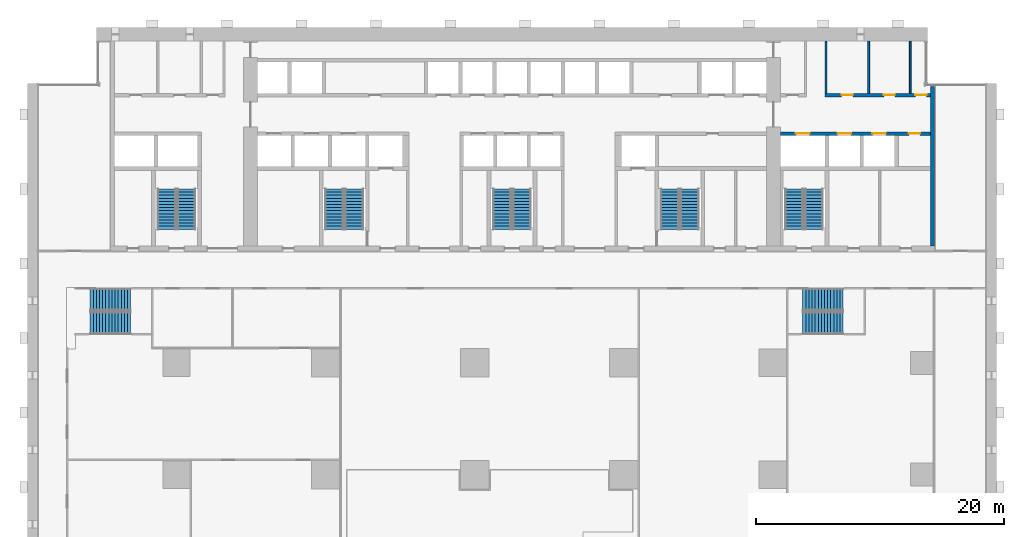
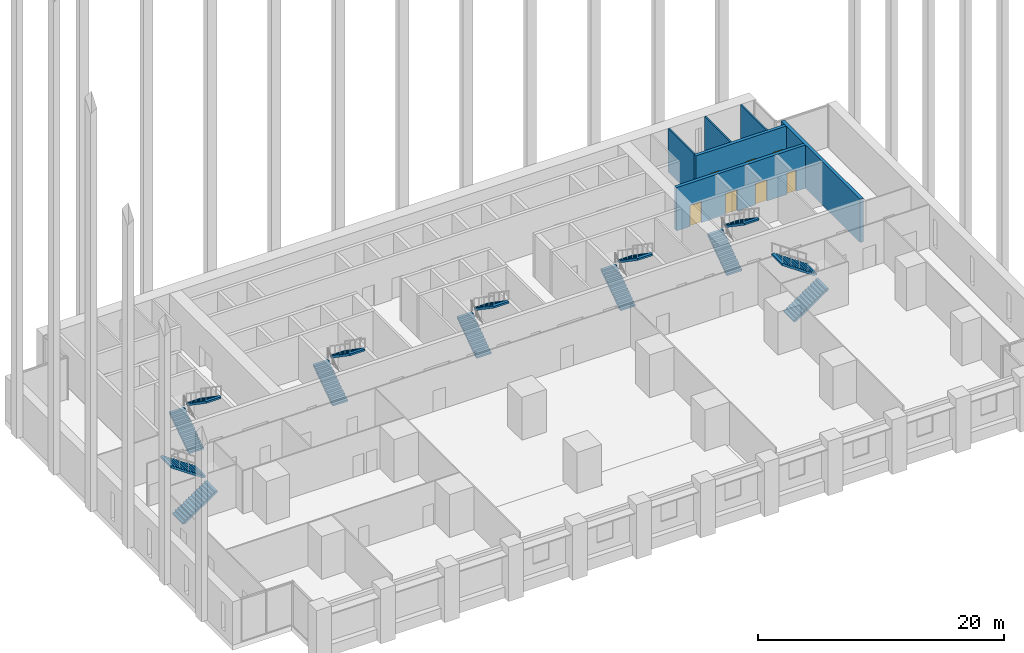
# One storey, part 13 of 17: 14 stair flights, 7 doors, 6 walls, 7 openings, 7 elements without a shape of their own.
"""IFC4 building model written with IfcOpenShell, lengths in metres."""

from ifc_helpers import new_model, si_unit, direction, frame, frame_2d, origin, place, context, subcontext, project, spatial, polyline, rectangle, outline, extrude, material, layer, layer_set, type_object, element, fill, aggregate, save


model = new_model("IFC4")

# Units and contexts
model_context = context("Model", 3, precision=1e-05, world=origin(), true_north=direction((0.0, 1.0)))
body_context = subcontext(model_context, "Body", "Model", "MODEL_VIEW")
ifc_project = project(units=[si_unit("LENGTHUNIT", "METRE"), si_unit("AREAUNIT", "SQUARE_METRE"), si_unit("VOLUMEUNIT", "CUBIC_METRE"), si_unit("PLANEANGLEUNIT", "RADIAN"), si_unit("MASSUNIT", "GRAM", prefix="KILO")], contexts=[model_context])

# Site, building, storey
site_placement = place(None, origin())
site = spatial("IfcSite", under=ifc_project, at=site_placement, CompositionType="ELEMENT")
building_placement = place(site_placement, origin())
building = spatial("IfcBuilding", under=site, at=building_placement, Name="Calvaro Tower", CompositionType="ELEMENT")
storey_placement = place(building_placement, frame((0.0, 0.0, 6.5)))
storey = spatial("IfcBuildingStorey", under=building, at=storey_placement, Name="L01", CompositionType="ELEMENT", Elevation=6.5)

# Walls
ifc_material_1 = material(Name="Blockwork partition", Category="masonry")
ifc_layer_1 = layer(ifc_material_1, 0.14990234375)
ifc_layer_set_1 = layer_set([ifc_layer_1], Name="Blockwork partition")
wall_type_1 = type_object("IfcWallType", Name="Core partition 150 EI 60", PredefinedType="PARTITIONING", material=ifc_layer_set_1)
for number, where, z_axis, x_axis, name in (
    (1, (67.699951171875, 40.699951171875, 0.0), (0.0, 0.0, 1.0), (0.0, 1.0, 0.0), "Core partition"),
    (2, (71.050048828125, 40.699951171875, 0.0), (0.0, 0.0, 1.0), (0.0, 1.0, 0.0), "Core partition"),
):
    element("IfcWall", number, at=place(storey_placement, frame(where, z_axis=z_axis, x_axis=x_axis)), inside=storey, type_object=wall_type_1, Name=name, PredefinedType="PARTITIONING", context=body_context, shape_type="SweptSolid", body=[
        extrude(rectangle(XDim=4.199951171875, YDim=0.14990234375, at=frame_2d((2.10009765625, 0.0))), origin(), (0.0, 0.0, 1.0), 4.300048828125),
    ])
ifc_material_2 = material(Name="Blockwork partition", Category="masonry")
ifc_layer_2 = layer(ifc_material_2, 0.14990234375)
ifc_layer_set_2 = layer_set([ifc_layer_2], Name="Blockwork partition")
wall_type_2 = type_object("IfcWallType", Name="Core partition 150 REI 120", PredefinedType="PARTITIONING", material=ifc_layer_set_2)
wall_1_placement = place(storey_placement, frame((64.27490234375, 40.699951171875, 0.0), z_axis=(0.0, 0.0, 1.0), x_axis=(0.0, 1.0, 0.0)))
element("IfcWall", 3, at=wall_1_placement, inside=storey, type_object=wall_type_2, Name="Core partition", PredefinedType="PARTITIONING", context=body_context, shape_type="SweptSolid", body=[
    extrude(rectangle(XDim=4.199951171875, YDim=0.14990234375, at=frame_2d((2.10009765625, 0.0))), origin(), (0.0, 0.0, 1.0), 4.300048828125),
])

# Wall, openings, doors
ifc_material_3 = material(Name="Blockwork partition", Category="masonry")
ifc_layer_3 = layer(ifc_material_3, 0.300048828125)
ifc_layer_set_3 = layer_set([ifc_layer_3], Name="Blockwork partition")
wall_type_3 = type_object("IfcWallType", Name="Core partition 300 REI 120", PredefinedType="PARTITIONING", material=ifc_layer_set_3)
wall_2_placement = place(storey_placement, frame((64.199951171875, 40.550048828125, 0.0), z_axis=(0.0, 0.0, 1.0), x_axis=(1.0, 0.0, 0.0)))
wall_2 = element("IfcWall", 4, at=wall_2_placement, inside=storey, type_object=wall_type_3, Name="Core partition", PredefinedType="PARTITIONING", context=body_context, shape_type="SweptSolid", body=[
    extrude(rectangle(XDim=8.5, YDim=0.300048828125, at=frame_2d((4.25, 0.0))), origin(), (0.0, 0.0, 1.0), 4.300048828125),
])
opening_1_placement = place(wall_2_placement, frame((1.33740234375, 0.0, 0.0)))
opening_1 = element("IfcOpeningElement", 5, at=opening_1_placement, cuts=wall_2, Name="Opening RD9", PredefinedType="OPENING", context=body_context, shape_type="SweptSolid", body=[
    extrude(rectangle(XDim=0.89990234375, YDim=2.10009765625, at=frame_2d((0.449951171875, 1.050048828125))), frame((0.0, 0.159912109375, 0.0), z_axis=(0.0, -1.0, 0.0), x_axis=(1.0, 0.0, 0.0)), (0.0, 0.0, 1.0), 0.320068359375),
])
opening_2_placement = place(wall_2_placement, frame((4.72509765625, 0.0, 0.0)))
opening_2 = element("IfcOpeningElement", 6, at=opening_2_placement, cuts=wall_2, Name="Opening RD9", PredefinedType="OPENING", context=body_context, shape_type="SweptSolid", body=[
    extrude(rectangle(XDim=0.89990234375, YDim=2.10009765625, at=frame_2d((0.449951171875, 1.050048828125))), frame((0.0, 0.159912109375, 0.0), z_axis=(0.0, -1.0, 0.0), x_axis=(1.0, 0.0, 0.0)), (0.0, 0.0, 1.0), 0.320068359375),
])
opening_3_placement = place(wall_2_placement, frame((7.262451171875, 0.0, 0.0)))
opening_3 = element("IfcOpeningElement", 7, at=opening_3_placement, cuts=wall_2, Name="Opening RD9", PredefinedType="OPENING", context=body_context, shape_type="SweptSolid", body=[
    extrude(rectangle(XDim=0.89990234375, YDim=2.10009765625, at=frame_2d((0.449951171875, 1.050048828125))), frame((0.0, 0.159912109375, 0.0), z_axis=(0.0, -1.0, 0.0), x_axis=(1.0, 0.0, 0.0)), (0.0, 0.0, 1.0), 0.320068359375),
])
ifc_material_4 = material(Name="Steel door set", Category="steel")
door_type_1 = type_object("IfcDoorType", Name="Room door 900", OperationType="SINGLE_SWING_LEFT", PredefinedType="DOOR", material=ifc_material_4)
door_1_placement = place(opening_1_placement, origin())
door_1 = element("IfcDoor", 8, at=door_1_placement, inside=storey, type_object=door_type_1, Name="Room door", OperationType="SINGLE_SWING_LEFT", OverallHeight=2.10009765625, OverallWidth=0.89990234375, PredefinedType="DOOR", context=body_context, shape_type="SweptSolid", body=[
    extrude(rectangle(XDim=0.89990234375, YDim=2.10009765625, at=frame_2d((0.449951171875, 1.050048828125))), frame((0.0, 0.02490234375, 0.0), z_axis=(0.0, -1.0, 0.0), x_axis=(1.0, 0.0, 0.0)), (0.0, 0.0, 1.0), 0.050048828125),
])
fill(opening_1, door_1)
door_2_placement = place(opening_2_placement, origin())
door_2 = element("IfcDoor", 9, at=door_2_placement, inside=storey, type_object=door_type_1, Name="Room door", OperationType="SINGLE_SWING_LEFT", OverallHeight=2.10009765625, OverallWidth=0.89990234375, PredefinedType="DOOR", context=body_context, shape_type="SweptSolid", body=[
    extrude(rectangle(XDim=0.89990234375, YDim=2.10009765625, at=frame_2d((0.449951171875, 1.050048828125))), frame((0.0, 0.02490234375, 0.0), z_axis=(0.0, -1.0, 0.0), x_axis=(1.0, 0.0, 0.0)), (0.0, 0.0, 1.0), 0.050048828125),
])
fill(opening_2, door_2)
door_3_placement = place(opening_3_placement, origin())
door_3 = element("IfcDoor", 10, at=door_3_placement, inside=storey, type_object=door_type_1, Name="Room door", OperationType="SINGLE_SWING_LEFT", OverallHeight=2.10009765625, OverallWidth=0.89990234375, PredefinedType="DOOR", context=body_context, shape_type="SweptSolid", body=[
    extrude(rectangle(XDim=0.89990234375, YDim=2.10009765625, at=frame_2d((0.449951171875, 1.050048828125))), frame((0.0, 0.02490234375, 0.0), z_axis=(0.0, -1.0, 0.0), x_axis=(1.0, 0.0, 0.0)), (0.0, 0.0, 1.0), 0.050048828125),
])
fill(opening_3, door_3)

# Wall
ifc_material_5 = material(Name="Concrete C80/95", Category="concrete")
ifc_layer_4 = layer(ifc_material_5, 0.300048828125)
ifc_layer_set_4 = layer_set([ifc_layer_4], Name="Concrete C80/95")
wall_type_4 = type_object("IfcWallType", Name="Core wall C80/95 300", PredefinedType="SHEAR", material=ifc_layer_set_4)
wall_3_placement = place(storey_placement, frame((72.85009765625, 28.39990234375, 0.0), z_axis=(0.0, 0.0, 1.0), x_axis=(0.0, 1.0, 0.0)))
element("IfcWall", 11, at=wall_3_placement, inside=storey, type_object=wall_type_4, Name="Core wall, boundary", PredefinedType="SHEAR", context=body_context, shape_type="SweptSolid", body=[
    extrude(rectangle(XDim=12.85009765625, YDim=0.300048828125, at=frame_2d((6.425048828125, 0.0))), origin(), (0.0, 0.0, 1.0), 4.300048828125),
])

# Wall, openings, doors
wall_4_placement = place(storey_placement, frame((72.699951171875, 37.449951171875, 0.0), z_axis=(0.0, 0.0, 1.0), x_axis=(-1.0, 0.0, 0.0)))
wall_4 = element("IfcWall", 12, at=wall_4_placement, inside=storey, type_object=wall_type_4, Name="Core wall, bay", PredefinedType="SHEAR", context=body_context, shape_type="SweptSolid", body=[
    extrude(rectangle(XDim=12.099853515625, YDim=0.300048828125, at=frame_2d((6.0498046875, 0.0))), origin(), (0.0, 0.0, 1.0), 4.300048828125),
])
opening_4_placement = place(wall_4_placement, frame((0.85009765625, 0.0, 0.0)))
opening_4 = element("IfcOpeningElement", 13, at=opening_4_placement, cuts=wall_4, Name="Opening RD9E", PredefinedType="OPENING", context=body_context, shape_type="SweptSolid", body=[
    extrude(rectangle(XDim=0.89990234375, YDim=2.10009765625, at=frame_2d((0.449951171875, 1.050048828125))), frame((0.0, 0.159912109375, 0.0), z_axis=(0.0, -1.0, 0.0), x_axis=(1.0, 0.0, 0.0)), (0.0, 0.0, 1.0), 0.320068359375),
])
opening_5_placement = place(wall_4_placement, frame((9.75, 0.0, 0.0)))
opening_5 = element("IfcOpeningElement", 14, at=opening_5_placement, cuts=wall_4, Name="Opening FF3", PredefinedType="OPENING", context=body_context, shape_type="SweptSolid", body=[
    extrude(rectangle(XDim=1.10009765625, YDim=2.10009765625, at=frame_2d((0.550048828125, 1.050048828125))), frame((0.0, 0.159912109375, 0.0), z_axis=(0.0, -1.0, 0.0), x_axis=(1.0, 0.0, 0.0)), (0.0, 0.0, 1.0), 0.320068359375),
])
opening_6_placement = place(wall_4_placement, frame((6.39990234375, 0.0, 0.0)))
opening_6 = element("IfcOpeningElement", 15, at=opening_6_placement, cuts=wall_4, Name="Opening PD1", PredefinedType="OPENING", context=body_context, shape_type="SweptSolid", body=[
    extrude(rectangle(XDim=1.10009765625, YDim=2.10009765625, at=frame_2d((0.550048828125, 1.050048828125))), frame((0.0, 0.159912109375, 0.0), z_axis=(0.0, -1.0, 0.0), x_axis=(1.0, 0.0, 0.0)), (0.0, 0.0, 1.0), 0.320068359375),
])
opening_7_placement = place(wall_4_placement, frame((3.60009765625, 0.0, 0.0)))
opening_7 = element("IfcOpeningElement", 16, at=opening_7_placement, cuts=wall_4, Name="Opening PD2", PredefinedType="OPENING", context=body_context, shape_type="SweptSolid", body=[
    extrude(rectangle(XDim=1.10009765625, YDim=2.10009765625, at=frame_2d((0.550048828125, 1.050048828125))), frame((0.0, 0.159912109375, 0.0), z_axis=(0.0, -1.0, 0.0), x_axis=(1.0, 0.0, 0.0)), (0.0, 0.0, 1.0), 0.320068359375),
])
ifc_material_6 = material(Name="Stainless steel", Category="steel")
door_type_2 = type_object("IfcDoorType", Name="Landing door 1100 E 60", OperationType="SLIDING_TO_LEFT", PredefinedType="DOOR", material=ifc_material_6)
door_4_placement = place(opening_5_placement, origin())
door_4 = element("IfcDoor", 17, at=door_4_placement, inside=storey, type_object=door_type_2, Name="Landing door FF3", OperationType="SLIDING_TO_LEFT", OverallHeight=2.10009765625, OverallWidth=1.10009765625, PredefinedType="DOOR", context=body_context, shape_type="SweptSolid", body=[
    extrude(rectangle(XDim=1.10009765625, YDim=2.10009765625, at=frame_2d((0.550048828125, 1.050048828125))), frame((0.0, 0.02490234375, 0.0), z_axis=(0.0, -1.0, 0.0), x_axis=(1.0, 0.0, 0.0)), (0.0, 0.0, 1.0), 0.050048828125),
])
fill(opening_5, door_4)
door_5_placement = place(opening_6_placement, origin())
door_5 = element("IfcDoor", 18, at=door_5_placement, inside=storey, type_object=door_type_2, Name="Landing door PD1", OperationType="SLIDING_TO_LEFT", OverallHeight=2.10009765625, OverallWidth=1.10009765625, PredefinedType="DOOR", context=body_context, shape_type="SweptSolid", body=[
    extrude(rectangle(XDim=1.10009765625, YDim=2.10009765625, at=frame_2d((0.550048828125, 1.050048828125))), frame((0.0, 0.02490234375, 0.0), z_axis=(0.0, -1.0, 0.0), x_axis=(1.0, 0.0, 0.0)), (0.0, 0.0, 1.0), 0.050048828125),
])
fill(opening_6, door_5)
door_6_placement = place(opening_7_placement, origin())
door_6 = element("IfcDoor", 19, at=door_6_placement, inside=storey, type_object=door_type_2, Name="Landing door PD2", OperationType="SLIDING_TO_LEFT", OverallHeight=2.10009765625, OverallWidth=1.10009765625, PredefinedType="DOOR", context=body_context, shape_type="SweptSolid", body=[
    extrude(rectangle(XDim=1.10009765625, YDim=2.10009765625, at=frame_2d((0.550048828125, 1.050048828125))), frame((0.0, 0.02490234375, 0.0), z_axis=(0.0, -1.0, 0.0), x_axis=(1.0, 0.0, 0.0)), (0.0, 0.0, 1.0), 0.050048828125),
])
fill(opening_7, door_6)
ifc_material_7 = material(Name="Steel door set", Category="steel")
door_type_3 = type_object("IfcDoorType", Name="Room door 900 FD60", OperationType="SINGLE_SWING_LEFT", PredefinedType="DOOR", material=ifc_material_7)
door_7_placement = place(opening_4_placement, origin())
door_7 = element("IfcDoor", 20, at=door_7_placement, inside=storey, type_object=door_type_3, Name="Room door", OperationType="SINGLE_SWING_LEFT", OverallHeight=2.10009765625, OverallWidth=0.89990234375, PredefinedType="DOOR", context=body_context, shape_type="SweptSolid", body=[
    extrude(rectangle(XDim=0.89990234375, YDim=2.10009765625, at=frame_2d((0.449951171875, 1.050048828125))), frame((0.0, 0.02490234375, 0.0), z_axis=(0.0, -1.0, 0.0), x_axis=(1.0, 0.0, 0.0)), (0.0, 0.0, 1.0), 0.050048828125),
])
fill(opening_4, door_7)

# Stair, stair flights
ifc_material_8 = material(Name="Concrete C40/50", Category="concrete")
stair_type_1 = type_object("IfcStairType", Name="Exit stair 1400 2 flights", PredefinedType="HALF_TURN_STAIR", material=ifc_material_8)
stair_1_placement = place(storey_placement, origin())
stair_1 = element("IfcStair", 21, at=stair_1_placement, inside=storey, type_object=stair_type_1, Name="Exit stair S1", PredefinedType="HALF_TURN_STAIR")
ifc_material_9 = material(Name="Concrete C40/50", Category="concrete")
stair_flight_type = type_object("IfcStairFlightType", Name="Stair flight", PredefinedType="STRAIGHT", material=ifc_material_9)
stair_flight_1_placement = place(storey_placement, frame((11.199951171875, 29.75, 0.0), z_axis=(0.0, 0.0, 1.0), x_axis=(0.0, 1.0, 0.0)))
stair_flight_1 = element("IfcStairFlight", 22, at=stair_flight_1_placement, type_object=stair_flight_type, Name="Exit stair 1, flight 1", NumberOfRisers=14, NumberOfTreads=13, PredefinedType="STRAIGHT", RiserHeight=0.171428571, TreadLength=0.25, context=body_context, shape_type="SweptSolid", body=[
    extrude(outline(polyline([(0.0, 0.0), (0.0, 0.17138671875), (0.25, 0.17138671875), (0.25, 0.3427734375), (0.5, 0.3427734375), (0.5, 0.514404296875), (0.75, 0.514404296875), (0.75, 0.685791015625), (1.0, 0.685791015625), (1.0, 0.857177734375), (1.25, 0.857177734375), (1.25, 1.028564453125), (1.5, 1.028564453125), (1.5, 1.199951171875), (1.75, 1.199951171875), (1.75, 1.371337890625), (2.0, 1.371337890625), (2.0, 1.54296875), (2.25, 1.54296875), (2.25, 1.71435546875), (2.5, 1.71435546875), (2.5, 1.8857421875), (2.75, 1.8857421875), (2.75, 2.05712890625), (3.0, 2.05712890625), (3.0, 2.228515625), (3.25, 2.228515625), (3.25, 2.39990234375), (3.25, 2.046875), (0.26513671875, 0.0), (0.0, 0.0)])), frame((0.0, 0.699951171875, 0.0), z_axis=(0.0, -1.0, 0.0), x_axis=(1.0, 0.0, 0.0)), (0.0, 0.0, 1.0), 1.39990234375),
])
stair_flight_2_placement = place(storey_placement, frame((12.800048828125, 33.0, 2.39990234375), z_axis=(0.0, 0.0, 1.0), x_axis=(0.0, -1.0, 0.0)))
stair_flight_2 = element("IfcStairFlight", 23, at=stair_flight_2_placement, type_object=stair_flight_type, Name="Exit stair 1, flight 2", NumberOfRisers=14, NumberOfTreads=13, PredefinedType="STRAIGHT", RiserHeight=0.171428571, TreadLength=0.25, context=body_context, shape_type="SweptSolid", body=[
    extrude(outline(polyline([(0.0, 0.0), (0.0, 0.17138671875), (0.25, 0.17138671875), (0.25, 0.3427734375), (0.5, 0.3427734375), (0.5, 0.514404296875), (0.75, 0.514404296875), (0.75, 0.685791015625), (1.0, 0.685791015625), (1.0, 0.857177734375), (1.25, 0.857177734375), (1.25, 1.028564453125), (1.5, 1.028564453125), (1.5, 1.199951171875), (1.75, 1.199951171875), (1.75, 1.371337890625), (2.0, 1.371337890625), (2.0, 1.54296875), (2.25, 1.54296875), (2.25, 1.71435546875), (2.5, 1.71435546875), (2.5, 1.8857421875), (2.75, 1.8857421875), (2.75, 2.05712890625), (3.0, 2.05712890625), (3.0, 2.228515625), (3.25, 2.228515625), (3.25, 2.39990234375), (3.25, 2.046875), (0.26513671875, 0.0), (0.0, 0.0)])), frame((0.0, 0.699951171875, 0.0), z_axis=(0.0, -1.0, 0.0), x_axis=(1.0, 0.0, 0.0)), (0.0, 0.0, 1.0), 1.39990234375),
])
aggregate(stair_1, [stair_flight_1, stair_flight_2])

stair_2_placement = place(storey_placement, origin())
stair_2 = element("IfcStair", 24, at=stair_2_placement, inside=storey, type_object=stair_type_1, Name="Exit stair S2", PredefinedType="HALF_TURN_STAIR")
stair_flight_3_placement = place(storey_placement, frame((24.699951171875, 29.75, 0.0), z_axis=(0.0, 0.0, 1.0), x_axis=(0.0, 1.0, 0.0)))
stair_flight_3 = element("IfcStairFlight", 25, at=stair_flight_3_placement, type_object=stair_flight_type, Name="Exit stair 2, flight 1", NumberOfRisers=14, NumberOfTreads=13, PredefinedType="STRAIGHT", RiserHeight=0.171428571, TreadLength=0.25, context=body_context, shape_type="SweptSolid", body=[
    extrude(outline(polyline([(0.0, 0.0), (0.0, 0.17138671875), (0.25, 0.17138671875), (0.25, 0.3427734375), (0.5, 0.3427734375), (0.5, 0.514404296875), (0.75, 0.514404296875), (0.75, 0.685791015625), (1.0, 0.685791015625), (1.0, 0.857177734375), (1.25, 0.857177734375), (1.25, 1.028564453125), (1.5, 1.028564453125), (1.5, 1.199951171875), (1.75, 1.199951171875), (1.75, 1.371337890625), (2.0, 1.371337890625), (2.0, 1.54296875), (2.25, 1.54296875), (2.25, 1.71435546875), (2.5, 1.71435546875), (2.5, 1.8857421875), (2.75, 1.8857421875), (2.75, 2.05712890625), (3.0, 2.05712890625), (3.0, 2.228515625), (3.25, 2.228515625), (3.25, 2.39990234375), (3.25, 2.046875), (0.26513671875, 0.0), (0.0, 0.0)])), frame((0.0, 0.699951171875, 0.0), z_axis=(0.0, -1.0, 0.0), x_axis=(1.0, 0.0, 0.0)), (0.0, 0.0, 1.0), 1.39990234375),
])
stair_flight_4_placement = place(storey_placement, frame((26.300048828125, 33.0, 2.39990234375), z_axis=(0.0, 0.0, 1.0), x_axis=(0.0, -1.0, 0.0)))
stair_flight_4 = element("IfcStairFlight", 26, at=stair_flight_4_placement, type_object=stair_flight_type, Name="Exit stair 2, flight 2", NumberOfRisers=14, NumberOfTreads=13, PredefinedType="STRAIGHT", RiserHeight=0.171428571, TreadLength=0.25, context=body_context, shape_type="SweptSolid", body=[
    extrude(outline(polyline([(0.0, 0.0), (0.0, 0.17138671875), (0.25, 0.17138671875), (0.25, 0.3427734375), (0.5, 0.3427734375), (0.5, 0.514404296875), (0.75, 0.514404296875), (0.75, 0.685791015625), (1.0, 0.685791015625), (1.0, 0.857177734375), (1.25, 0.857177734375), (1.25, 1.028564453125), (1.5, 1.028564453125), (1.5, 1.199951171875), (1.75, 1.199951171875), (1.75, 1.371337890625), (2.0, 1.371337890625), (2.0, 1.54296875), (2.25, 1.54296875), (2.25, 1.71435546875), (2.5, 1.71435546875), (2.5, 1.8857421875), (2.75, 1.8857421875), (2.75, 2.05712890625), (3.0, 2.05712890625), (3.0, 2.228515625), (3.25, 2.228515625), (3.25, 2.39990234375), (3.25, 2.046875), (0.26513671875, 0.0), (0.0, 0.0)])), frame((0.0, 0.699951171875, 0.0), z_axis=(0.0, -1.0, 0.0), x_axis=(1.0, 0.0, 0.0)), (0.0, 0.0, 1.0), 1.39990234375),
])
aggregate(stair_2, [stair_flight_3, stair_flight_4])

stair_3_placement = place(storey_placement, origin())
stair_3 = element("IfcStair", 27, at=stair_3_placement, inside=storey, type_object=stair_type_1, Name="Exit stair S3", PredefinedType="HALF_TURN_STAIR")
stair_flight_5_placement = place(storey_placement, frame((38.199951171875, 29.75, 0.0), z_axis=(0.0, 0.0, 1.0), x_axis=(0.0, 1.0, 0.0)))
stair_flight_5 = element("IfcStairFlight", 28, at=stair_flight_5_placement, type_object=stair_flight_type, Name="Exit stair 3, flight 1", NumberOfRisers=14, NumberOfTreads=13, PredefinedType="STRAIGHT", RiserHeight=0.171428571, TreadLength=0.25, context=body_context, shape_type="SweptSolid", body=[
    extrude(outline(polyline([(0.0, 0.0), (0.0, 0.17138671875), (0.25, 0.17138671875), (0.25, 0.3427734375), (0.5, 0.3427734375), (0.5, 0.514404296875), (0.75, 0.514404296875), (0.75, 0.685791015625), (1.0, 0.685791015625), (1.0, 0.857177734375), (1.25, 0.857177734375), (1.25, 1.028564453125), (1.5, 1.028564453125), (1.5, 1.199951171875), (1.75, 1.199951171875), (1.75, 1.371337890625), (2.0, 1.371337890625), (2.0, 1.54296875), (2.25, 1.54296875), (2.25, 1.71435546875), (2.5, 1.71435546875), (2.5, 1.8857421875), (2.75, 1.8857421875), (2.75, 2.05712890625), (3.0, 2.05712890625), (3.0, 2.228515625), (3.25, 2.228515625), (3.25, 2.39990234375), (3.25, 2.046875), (0.26513671875, 0.0), (0.0, 0.0)])), frame((0.0, 0.699951171875, 0.0), z_axis=(0.0, -1.0, 0.0), x_axis=(1.0, 0.0, 0.0)), (0.0, 0.0, 1.0), 1.39990234375),
])
stair_flight_6_placement = place(storey_placement, frame((39.800048828125, 33.0, 2.39990234375), z_axis=(0.0, 0.0, 1.0), x_axis=(0.0, -1.0, 0.0)))
stair_flight_6 = element("IfcStairFlight", 29, at=stair_flight_6_placement, type_object=stair_flight_type, Name="Exit stair 3, flight 2", NumberOfRisers=14, NumberOfTreads=13, PredefinedType="STRAIGHT", RiserHeight=0.171428571, TreadLength=0.25, context=body_context, shape_type="SweptSolid", body=[
    extrude(outline(polyline([(0.0, 0.0), (0.0, 0.17138671875), (0.25, 0.17138671875), (0.25, 0.3427734375), (0.5, 0.3427734375), (0.5, 0.514404296875), (0.75, 0.514404296875), (0.75, 0.685791015625), (1.0, 0.685791015625), (1.0, 0.857177734375), (1.25, 0.857177734375), (1.25, 1.028564453125), (1.5, 1.028564453125), (1.5, 1.199951171875), (1.75, 1.199951171875), (1.75, 1.371337890625), (2.0, 1.371337890625), (2.0, 1.54296875), (2.25, 1.54296875), (2.25, 1.71435546875), (2.5, 1.71435546875), (2.5, 1.8857421875), (2.75, 1.8857421875), (2.75, 2.05712890625), (3.0, 2.05712890625), (3.0, 2.228515625), (3.25, 2.228515625), (3.25, 2.39990234375), (3.25, 2.046875), (0.26513671875, 0.0), (0.0, 0.0)])), frame((0.0, 0.699951171875, 0.0), z_axis=(0.0, -1.0, 0.0), x_axis=(1.0, 0.0, 0.0)), (0.0, 0.0, 1.0), 1.39990234375),
])
aggregate(stair_3, [stair_flight_5, stair_flight_6])

stair_4_placement = place(storey_placement, origin())
stair_4 = element("IfcStair", 30, at=stair_4_placement, inside=storey, type_object=stair_type_1, Name="Exit stair S4", PredefinedType="HALF_TURN_STAIR")
stair_flight_7_placement = place(storey_placement, frame((51.699951171875, 29.75, 0.0), z_axis=(0.0, 0.0, 1.0), x_axis=(0.0, 1.0, 0.0)))
stair_flight_7 = element("IfcStairFlight", 31, at=stair_flight_7_placement, type_object=stair_flight_type, Name="Exit stair 4, flight 1", NumberOfRisers=14, NumberOfTreads=13, PredefinedType="STRAIGHT", RiserHeight=0.171428571, TreadLength=0.25, context=body_context, shape_type="SweptSolid", body=[
    extrude(outline(polyline([(0.0, 0.0), (0.0, 0.17138671875), (0.25, 0.17138671875), (0.25, 0.3427734375), (0.5, 0.3427734375), (0.5, 0.514404296875), (0.75, 0.514404296875), (0.75, 0.685791015625), (1.0, 0.685791015625), (1.0, 0.857177734375), (1.25, 0.857177734375), (1.25, 1.028564453125), (1.5, 1.028564453125), (1.5, 1.199951171875), (1.75, 1.199951171875), (1.75, 1.371337890625), (2.0, 1.371337890625), (2.0, 1.54296875), (2.25, 1.54296875), (2.25, 1.71435546875), (2.5, 1.71435546875), (2.5, 1.8857421875), (2.75, 1.8857421875), (2.75, 2.05712890625), (3.0, 2.05712890625), (3.0, 2.228515625), (3.25, 2.228515625), (3.25, 2.39990234375), (3.25, 2.046875), (0.26513671875, 0.0), (0.0, 0.0)])), frame((0.0, 0.699951171875, 0.0), z_axis=(0.0, -1.0, 0.0), x_axis=(1.0, 0.0, 0.0)), (0.0, 0.0, 1.0), 1.39990234375),
])
stair_flight_8_placement = place(storey_placement, frame((53.300048828125, 33.0, 2.39990234375), z_axis=(0.0, 0.0, 1.0), x_axis=(0.0, -1.0, 0.0)))
stair_flight_8 = element("IfcStairFlight", 32, at=stair_flight_8_placement, type_object=stair_flight_type, Name="Exit stair 4, flight 2", NumberOfRisers=14, NumberOfTreads=13, PredefinedType="STRAIGHT", RiserHeight=0.171428571, TreadLength=0.25, context=body_context, shape_type="SweptSolid", body=[
    extrude(outline(polyline([(0.0, 0.0), (0.0, 0.17138671875), (0.25, 0.17138671875), (0.25, 0.3427734375), (0.5, 0.3427734375), (0.5, 0.514404296875), (0.75, 0.514404296875), (0.75, 0.685791015625), (1.0, 0.685791015625), (1.0, 0.857177734375), (1.25, 0.857177734375), (1.25, 1.028564453125), (1.5, 1.028564453125), (1.5, 1.199951171875), (1.75, 1.199951171875), (1.75, 1.371337890625), (2.0, 1.371337890625), (2.0, 1.54296875), (2.25, 1.54296875), (2.25, 1.71435546875), (2.5, 1.71435546875), (2.5, 1.8857421875), (2.75, 1.8857421875), (2.75, 2.05712890625), (3.0, 2.05712890625), (3.0, 2.228515625), (3.25, 2.228515625), (3.25, 2.39990234375), (3.25, 2.046875), (0.26513671875, 0.0), (0.0, 0.0)])), frame((0.0, 0.699951171875, 0.0), z_axis=(0.0, -1.0, 0.0), x_axis=(1.0, 0.0, 0.0)), (0.0, 0.0, 1.0), 1.39990234375),
])
aggregate(stair_4, [stair_flight_7, stair_flight_8])

stair_5_placement = place(storey_placement, origin())
stair_5 = element("IfcStair", 33, at=stair_5_placement, inside=storey, type_object=stair_type_1, Name="Exit stair S5", PredefinedType="HALF_TURN_STAIR")
stair_flight_9_placement = place(storey_placement, frame((61.699951171875, 29.75, 0.0), z_axis=(0.0, 0.0, 1.0), x_axis=(0.0, 1.0, 0.0)))
stair_flight_9 = element("IfcStairFlight", 34, at=stair_flight_9_placement, type_object=stair_flight_type, Name="Exit stair 5, flight 1", NumberOfRisers=14, NumberOfTreads=13, PredefinedType="STRAIGHT", RiserHeight=0.171428571, TreadLength=0.25, context=body_context, shape_type="SweptSolid", body=[
    extrude(outline(polyline([(0.0, 0.0), (0.0, 0.17138671875), (0.25, 0.17138671875), (0.25, 0.3427734375), (0.5, 0.3427734375), (0.5, 0.514404296875), (0.75, 0.514404296875), (0.75, 0.685791015625), (1.0, 0.685791015625), (1.0, 0.857177734375), (1.25, 0.857177734375), (1.25, 1.028564453125), (1.5, 1.028564453125), (1.5, 1.199951171875), (1.75, 1.199951171875), (1.75, 1.371337890625), (2.0, 1.371337890625), (2.0, 1.54296875), (2.25, 1.54296875), (2.25, 1.71435546875), (2.5, 1.71435546875), (2.5, 1.8857421875), (2.75, 1.8857421875), (2.75, 2.05712890625), (3.0, 2.05712890625), (3.0, 2.228515625), (3.25, 2.228515625), (3.25, 2.39990234375), (3.25, 2.046875), (0.26513671875, 0.0), (0.0, 0.0)])), frame((0.0, 0.699951171875, 0.0), z_axis=(0.0, -1.0, 0.0), x_axis=(1.0, 0.0, 0.0)), (0.0, 0.0, 1.0), 1.39990234375),
])
stair_flight_10_placement = place(storey_placement, frame((63.300048828125, 33.0, 2.39990234375), z_axis=(0.0, 0.0, 1.0), x_axis=(0.0, -1.0, 0.0)))
stair_flight_10 = element("IfcStairFlight", 35, at=stair_flight_10_placement, type_object=stair_flight_type, Name="Exit stair 5, flight 2", NumberOfRisers=14, NumberOfTreads=13, PredefinedType="STRAIGHT", RiserHeight=0.171428571, TreadLength=0.25, context=body_context, shape_type="SweptSolid", body=[
    extrude(outline(polyline([(0.0, 0.0), (0.0, 0.17138671875), (0.25, 0.17138671875), (0.25, 0.3427734375), (0.5, 0.3427734375), (0.5, 0.514404296875), (0.75, 0.514404296875), (0.75, 0.685791015625), (1.0, 0.685791015625), (1.0, 0.857177734375), (1.25, 0.857177734375), (1.25, 1.028564453125), (1.5, 1.028564453125), (1.5, 1.199951171875), (1.75, 1.199951171875), (1.75, 1.371337890625), (2.0, 1.371337890625), (2.0, 1.54296875), (2.25, 1.54296875), (2.25, 1.71435546875), (2.5, 1.71435546875), (2.5, 1.8857421875), (2.75, 1.8857421875), (2.75, 2.05712890625), (3.0, 2.05712890625), (3.0, 2.228515625), (3.25, 2.228515625), (3.25, 2.39990234375), (3.25, 2.046875), (0.26513671875, 0.0), (0.0, 0.0)])), frame((0.0, 0.699951171875, 0.0), z_axis=(0.0, -1.0, 0.0), x_axis=(1.0, 0.0, 0.0)), (0.0, 0.0, 1.0), 1.39990234375),
])
aggregate(stair_5, [stair_flight_9, stair_flight_10])

ifc_material_10 = material(Name="Concrete C40/50", Category="concrete")
stair_type_2 = type_object("IfcStairType", Name="Exit stair 1700 2 flights", PredefinedType="HALF_TURN_STAIR", material=ifc_material_10)
stair_6_placement = place(storey_placement, origin())
stair_6 = element("IfcStair", 36, at=stair_6_placement, inside=storey, type_object=stair_type_2, Name="Exit stair 6", PredefinedType="HALF_TURN_STAIR")
stair_flight_11_placement = place(storey_placement, frame((5.050048828125, 22.199951171875, 0.0), z_axis=(0.0, 0.0, 1.0), x_axis=(1.0, 0.0, 0.0)))
stair_flight_11 = element("IfcStairFlight", 37, at=stair_flight_11_placement, type_object=stair_flight_type, Name="Exit stair 6, flight 1", NumberOfRisers=14, NumberOfTreads=13, PredefinedType="STRAIGHT", RiserHeight=0.171428571, TreadLength=0.25, context=body_context, shape_type="SweptSolid", body=[
    extrude(outline(polyline([(0.0, 0.0), (0.0, 0.17138671875), (0.25, 0.17138671875), (0.25, 0.3427734375), (0.5, 0.3427734375), (0.5, 0.514404296875), (0.75, 0.514404296875), (0.75, 0.685791015625), (1.0, 0.685791015625), (1.0, 0.857177734375), (1.25, 0.857177734375), (1.25, 1.028564453125), (1.5, 1.028564453125), (1.5, 1.199951171875), (1.75, 1.199951171875), (1.75, 1.371337890625), (2.0, 1.371337890625), (2.0, 1.54296875), (2.25, 1.54296875), (2.25, 1.71435546875), (2.5, 1.71435546875), (2.5, 1.8857421875), (2.75, 1.8857421875), (2.75, 2.05712890625), (3.0, 2.05712890625), (3.0, 2.228515625), (3.25, 2.228515625), (3.25, 2.39990234375), (3.25, 2.046875), (0.26513671875, 0.0), (0.0, 0.0)])), frame((0.0, 0.85009765625, 0.0), z_axis=(0.0, -1.0, 0.0), x_axis=(1.0, 0.0, 0.0)), (0.0, 0.0, 1.0), 1.699951171875),
])
stair_flight_12_placement = place(storey_placement, frame((8.300048828125, 24.10009765625, 2.39990234375), z_axis=(0.0, 0.0, 1.0), x_axis=(-1.0, 0.0, 0.0)))
stair_flight_12 = element("IfcStairFlight", 38, at=stair_flight_12_placement, type_object=stair_flight_type, Name="Exit stair 6, flight 2", NumberOfRisers=14, NumberOfTreads=13, PredefinedType="STRAIGHT", RiserHeight=0.171428571, TreadLength=0.25, context=body_context, shape_type="SweptSolid", body=[
    extrude(outline(polyline([(0.0, 0.0), (0.0, 0.17138671875), (0.25, 0.17138671875), (0.25, 0.3427734375), (0.5, 0.3427734375), (0.5, 0.514404296875), (0.75, 0.514404296875), (0.75, 0.685791015625), (1.0, 0.685791015625), (1.0, 0.857177734375), (1.25, 0.857177734375), (1.25, 1.028564453125), (1.5, 1.028564453125), (1.5, 1.199951171875), (1.75, 1.199951171875), (1.75, 1.371337890625), (2.0, 1.371337890625), (2.0, 1.54296875), (2.25, 1.54296875), (2.25, 1.71435546875), (2.5, 1.71435546875), (2.5, 1.8857421875), (2.75, 1.8857421875), (2.75, 2.05712890625), (3.0, 2.05712890625), (3.0, 2.228515625), (3.25, 2.228515625), (3.25, 2.39990234375), (3.25, 2.046875), (0.26513671875, 0.0), (0.0, 0.0)])), frame((0.0, 0.85009765625, 0.0), z_axis=(0.0, -1.0, 0.0), x_axis=(1.0, 0.0, 0.0)), (0.0, 0.0, 1.0), 1.699951171875),
])
aggregate(stair_6, [stair_flight_11, stair_flight_12])

stair_7_placement = place(storey_placement, origin())
stair_7 = element("IfcStair", 39, at=stair_7_placement, inside=storey, type_object=stair_type_2, Name="Exit stair 7", PredefinedType="HALF_TURN_STAIR")
stair_flight_13_placement = place(storey_placement, frame((62.39990234375, 22.199951171875, 0.0), z_axis=(0.0, 0.0, 1.0), x_axis=(1.0, 0.0, 0.0)))
stair_flight_13 = element("IfcStairFlight", 40, at=stair_flight_13_placement, type_object=stair_flight_type, Name="Exit stair 7, flight 1", NumberOfRisers=14, NumberOfTreads=13, PredefinedType="STRAIGHT", RiserHeight=0.171428571, TreadLength=0.25, context=body_context, shape_type="SweptSolid", body=[
    extrude(outline(polyline([(0.0, 0.0), (0.0, 0.17138671875), (0.25, 0.17138671875), (0.25, 0.3427734375), (0.5, 0.3427734375), (0.5, 0.514404296875), (0.75, 0.514404296875), (0.75, 0.685791015625), (1.0, 0.685791015625), (1.0, 0.857177734375), (1.25, 0.857177734375), (1.25, 1.028564453125), (1.5, 1.028564453125), (1.5, 1.199951171875), (1.75, 1.199951171875), (1.75, 1.371337890625), (2.0, 1.371337890625), (2.0, 1.54296875), (2.25, 1.54296875), (2.25, 1.71435546875), (2.5, 1.71435546875), (2.5, 1.8857421875), (2.75, 1.8857421875), (2.75, 2.05712890625), (3.0, 2.05712890625), (3.0, 2.228515625), (3.25, 2.228515625), (3.25, 2.39990234375), (3.25, 2.046875), (0.26513671875, 0.0), (0.0, 0.0)])), frame((0.0, 0.85009765625, 0.0), z_axis=(0.0, -1.0, 0.0), x_axis=(1.0, 0.0, 0.0)), (0.0, 0.0, 1.0), 1.699951171875),
])
stair_flight_14_placement = place(storey_placement, frame((65.64990234375, 24.10009765625, 2.39990234375), z_axis=(0.0, 0.0, 1.0), x_axis=(-1.0, 0.0, 0.0)))
stair_flight_14 = element("IfcStairFlight", 41, at=stair_flight_14_placement, type_object=stair_flight_type, Name="Exit stair 7, flight 2", NumberOfRisers=14, NumberOfTreads=13, PredefinedType="STRAIGHT", RiserHeight=0.171428571, TreadLength=0.25, context=body_context, shape_type="SweptSolid", body=[
    extrude(outline(polyline([(0.0, 0.0), (0.0, 0.17138671875), (0.25, 0.17138671875), (0.25, 0.3427734375), (0.5, 0.3427734375), (0.5, 0.514404296875), (0.75, 0.514404296875), (0.75, 0.685791015625), (1.0, 0.685791015625), (1.0, 0.857177734375), (1.25, 0.857177734375), (1.25, 1.028564453125), (1.5, 1.028564453125), (1.5, 1.199951171875), (1.75, 1.199951171875), (1.75, 1.371337890625), (2.0, 1.371337890625), (2.0, 1.54296875), (2.25, 1.54296875), (2.25, 1.71435546875), (2.5, 1.71435546875), (2.5, 1.8857421875), (2.75, 1.8857421875), (2.75, 2.05712890625), (3.0, 2.05712890625), (3.0, 2.228515625), (3.25, 2.228515625), (3.25, 2.39990234375), (3.25, 2.046875), (0.26513671875, 0.0), (0.0, 0.0)])), frame((0.0, 0.85009765625, 0.0), z_axis=(0.0, -1.0, 0.0), x_axis=(1.0, 0.0, 0.0)), (0.0, 0.0, 1.0), 1.699951171875),
])
aggregate(stair_7, [stair_flight_13, stair_flight_14])

save(model, "model.ifc")
